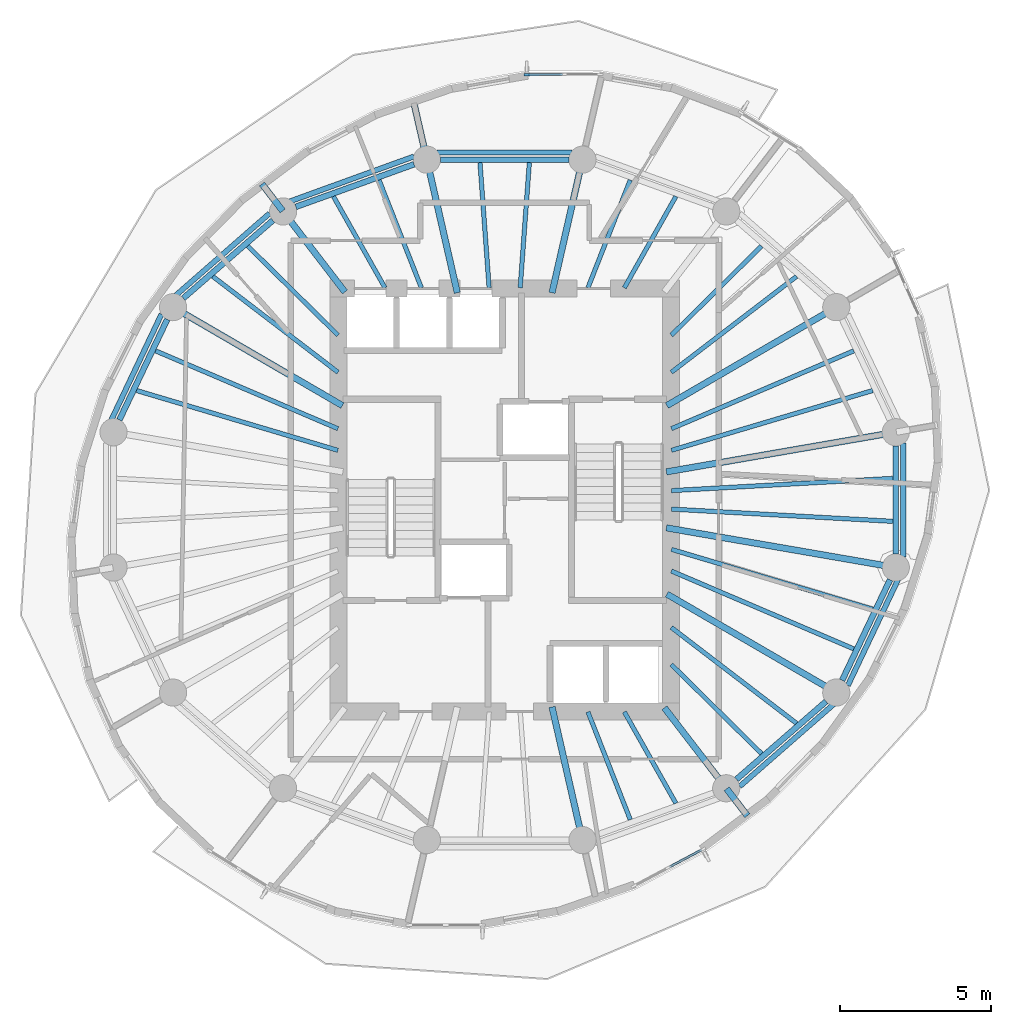
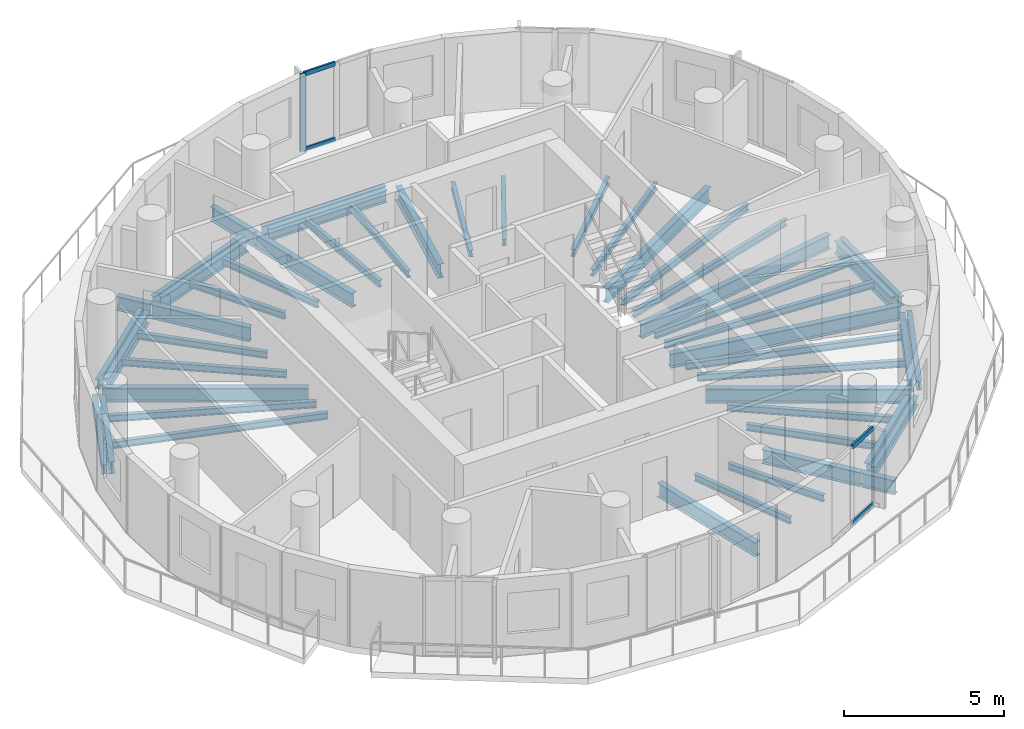
# One storey, part 2 of 10: 49 beams, 5 members, 2 elements without a shape of their own.
"""IFC4 building model written with IfcOpenShell, lengths in metres."""

import ifcopenshell
import ifcopenshell.guid

model = None  # the IFC model being written
_history = None  # IfcOwnerHistory: only IFC2X3 demands one
_inside = {}  # id of a spatial element -> (the spatial element, [elements in it])
_under = {}  # id of a project, library or spatial element -> (it, [spatial elements below it])
_declared = {}  # id of a project -> (the project, [libraries it declares])
_typed = {}  # id of a type object -> (the type object, [elements of that type])
_made_of = {}  # id of a material, layer set ... -> (it, [elements and type objects made of it])


def new_model(schema):
    """Start an empty IFC model of exactly this schema.

    Asked for "IFC4X3", IfcOpenShell would pick the latest addendum, in which some entities
    have other attributes; the version numbers below select the first issue.
    IFC2X3 requires an IfcOwnerHistory on every rooted entity: one is made here for all.
    """
    global model, _history
    if schema == "IFC4X3":
        model = ifcopenshell.file(schema_version=(4, 3, 0, 0))
    else:
        model = ifcopenshell.file(schema=schema)
    _inside.clear()
    _under.clear()
    _declared.clear()
    _typed.clear()
    _made_of.clear()
    _history = None
    if model.schema == "IFC2X3":
        org = make("IfcOrganization", Name="unknown")
        user = make(
            "IfcPersonAndOrganization",
            ThePerson=make("IfcPerson", FamilyName="unknown"),
            TheOrganization=org,
        )
        app = make(
            "IfcApplication",
            ApplicationDeveloper=org,
            Version="unknown",
            ApplicationFullName="unknown",
            ApplicationIdentifier="unknown",
        )
        _history = make(
            "IfcOwnerHistory",
            OwningUser=user,
            OwningApplication=app,
            ChangeAction="ADDED",
            CreationDate=0,
        )
    return model


def make(cls, **values):
    """One entity of the class cls with the attributes given. An attribute that is None is left unset."""
    return model.create_entity(
        cls, **{name: value for name, value in values.items() if value is not None}
    )


def rooted(cls, **values):
    """An entity with a GlobalId (a new one), such as an element, a storey or a relation."""
    return make(cls, GlobalId=ifcopenshell.guid.new(), OwnerHistory=_history, **values)


def si_unit(unit_type, name, prefix=None):
    """IfcSIUnit, for example si_unit("LENGTHUNIT", "METRE", prefix="MILLI")."""
    return make("IfcSIUnit", UnitType=unit_type, Prefix=prefix, Name=name)


def assignment(units):
    """IfcUnitAssignment: the units of a project."""
    return None if units is None else make("IfcUnitAssignment", Units=units)


def point(xyz):
    """IfcCartesianPoint."""
    return None if xyz is None else make("IfcCartesianPoint", Coordinates=xyz)


def direction(xyz):
    """IfcDirection."""
    return None if xyz is None else make("IfcDirection", DirectionRatios=xyz)


def frame(location, z_axis=None, x_axis=None):
    """IfcAxis2Placement3D, a coordinate frame: its origin and axes. An axis left out is left unset."""
    return make(
        "IfcAxis2Placement3D",
        Location=point(location),
        Axis=direction(z_axis),
        RefDirection=direction(x_axis),
    )


def frame_2d(location, x_axis=None):
    """IfcAxis2Placement2D, a coordinate frame in the plane: its origin and x axis."""
    return make(
        "IfcAxis2Placement2D", Location=point(location), RefDirection=direction(x_axis)
    )


def origin():
    """The frame at (0, 0, 0) with its axes left unset."""
    return frame((0.0, 0.0, 0.0))


def origin_2d():
    """The frame at (0, 0) in the plane with its x axis left unset."""
    return frame_2d((0.0, 0.0))


def place(relative_to, where):
    """IfcLocalPlacement: puts the frame where relative to a parent placement (None: the world)."""
    return make(
        "IfcLocalPlacement", PlacementRelTo=relative_to, RelativePlacement=where
    )


def context(
    kind, dimensions, precision=None, world=None, true_north=None, identifier=None
):
    """IfcGeometricRepresentationContext, for example the 3D "Model" context."""
    return make(
        "IfcGeometricRepresentationContext",
        ContextIdentifier=identifier,
        ContextType=kind,
        CoordinateSpaceDimension=dimensions,
        Precision=precision,
        WorldCoordinateSystem=world,
        TrueNorth=true_north,
    )


def subcontext(parent, identifier, kind, view, scale=None):
    """IfcGeometricRepresentationSubContext, for example "Body" below "Model"."""
    return make(
        "IfcGeometricRepresentationSubContext",
        ContextIdentifier=identifier,
        ContextType=kind,
        ParentContext=parent,
        TargetScale=scale,
        TargetView=view,
    )


def project(units=None, contexts=None):
    """IfcProject with its units and contexts."""
    return rooted(
        "IfcProject",
        Name="project",
        RepresentationContexts=contexts,
        UnitsInContext=assignment(units),
    )


def spatial(cls, under=None, at=None, **own):
    """A site, building, storey or space (cls), placed at a placement, below another one or the project."""
    s = rooted(cls, ObjectPlacement=at, **own)
    if under is not None:
        _under.setdefault(under.id(), (under, []))[1].append(s)
    return s


def profile(cls, at=None, kind="AREA", **sizes):
    """A parametric profile (cls). Its sizes go by their IFC names, for example OverallWidth=200.0."""
    return make(cls, ProfileType=kind, Position=at, **sizes)


def rectangle(**sizes):
    """IfcRectangleProfileDef."""
    return profile("IfcRectangleProfileDef", **sizes)


def i_section(**sizes):
    """IfcIShapeProfileDef."""
    return profile("IfcIShapeProfileDef", **sizes)


def extrude(swept, where, along, depth):
    """IfcExtrudedAreaSolid: the profile swept, set in the frame where, extruded along a direction by depth."""
    return make(
        "IfcExtrudedAreaSolid",
        SweptArea=swept,
        Position=where,
        ExtrudedDirection=direction(along),
        Depth=depth,
    )


def shape(context_of_items, identifier, shape_type, items):
    """IfcShapeRepresentation: the items that make up one representation, for example the "Body"."""
    return make(
        "IfcShapeRepresentation",
        ContextOfItems=context_of_items,
        RepresentationIdentifier=identifier,
        RepresentationType=shape_type,
        Items=items,
    )


def material(Name=None, Category=None):
    """IfcMaterial."""
    return make("IfcMaterial", Name=Name, Category=Category)


def material_profile(
    of_material, cross_section, Name=None, Category=None, Priority=None
):
    """IfcMaterialProfile: a cross section and its material."""
    return make(
        "IfcMaterialProfile",
        Name=Name,
        Material=of_material,
        Profile=cross_section,
        Priority=Priority,
        Category=Category,
    )


def profile_set(profiles, Name=None, composite=None):
    """IfcMaterialProfileSet."""
    return make(
        "IfcMaterialProfileSet",
        Name=Name,
        MaterialProfiles=profiles,
        CompositeProfile=composite,
    )


def made_of(thing, what):
    """Note that an element or type object is made of a material, layer set ...; save() writes the relation."""
    if what is not None:
        _made_of.setdefault(what.id(), (what, []))[1].append(thing)
    return thing


def type_object(cls, material=None, **own):
    """A type object (cls), such as IfcWallType, which elements share."""
    return made_of(rooted(cls, **own), material)


def element(
    cls,
    number,
    at=None,
    inside=None,
    cuts=None,
    type_object=None,
    material=None,
    context=None,
    identifier="Body",
    shape_type=None,
    held_by="IfcProductDefinitionShape",
    body=None,
    shapes=None,
    **own,
):
    """One element of the class cls, such as IfcWall. Its Tag is "e" and its number.

    at: its placement. inside: the storey or other place that contains it. cuts: it is an
    opening in that element (IfcRelVoidsElement). A single representation is given by context,
    identifier, shape_type and body (its items); several are given by shapes. held_by: the class
    of the entity that holds the representations. save() writes the other relations.
    """
    e = rooted(cls, Tag="e%d" % number, ObjectPlacement=at, **own)
    if body is not None:
        shapes = [shape(context, identifier, shape_type, body)]
    if shapes is not None:
        e.Representation = make(held_by, Representations=shapes)
    if inside is not None:
        _inside.setdefault(inside.id(), (inside, []))[1].append(e)
    if cuts is not None:
        rooted(
            "IfcRelVoidsElement", RelatingBuildingElement=cuts, RelatedOpeningElement=e
        )
    if type_object is not None:
        _typed.setdefault(type_object.id(), (type_object, []))[1].append(e)
    return made_of(e, material)


def aggregate(whole, parts):
    """IfcRelAggregates: a whole, such as a stair, and the parts it consists of."""
    return rooted("IfcRelAggregates", RelatingObject=whole, RelatedObjects=parts)


def save(model, path):
    """Write the relations noted so far, then the file.

    IfcRelAggregates (storeys below a building ...), IfcRelContainedInSpatialStructure (elements
    in a storey), IfcRelDefinesByType, IfcRelAssociatesMaterial and IfcRelDeclares: one each for
    every whole, place, type object, material and project.
    """
    for whole, parts in _under.values():
        aggregate(whole, parts)
    for where, things in _inside.values():
        rooted(
            "IfcRelContainedInSpatialStructure",
            RelatedElements=things,
            RelatingStructure=where,
        )
    for kind, things in _typed.values():
        rooted("IfcRelDefinesByType", RelatedObjects=things, RelatingType=kind)
    for what, things in _made_of.values():
        rooted("IfcRelAssociatesMaterial", RelatedObjects=things, RelatingMaterial=what)
    for by, libraries in _declared.values():
        rooted("IfcRelDeclares", RelatingContext=by, RelatedDefinitions=libraries)
    model.write(path)


model = new_model("IFC4")

# Units and contexts
model_context = context("Model", 3, precision=1e-05, world=origin(), true_north=direction((0.0, 1.0)))
body_context = subcontext(model_context, "Body", "Model", "MODEL_VIEW")
ifc_project = project(units=[si_unit("LENGTHUNIT", "METRE"), si_unit("AREAUNIT", "SQUARE_METRE"), si_unit("VOLUMEUNIT", "CUBIC_METRE"), si_unit("PLANEANGLEUNIT", "RADIAN"), si_unit("MASSUNIT", "GRAM", prefix="KILO")], contexts=[model_context])

# Site, building, storey
site_placement = place(None, origin())
site = spatial("IfcSite", under=ifc_project, at=site_placement, CompositionType="ELEMENT")
building_placement = place(site_placement, origin())
building = spatial("IfcBuilding", under=site, at=building_placement, Name="Veldorim Arch Residences", CompositionType="ELEMENT")
storey_placement = place(building_placement, frame((0.0, 0.0, 172.639892578125)))
storey = spatial("IfcBuildingStorey", under=building, at=storey_placement, Name="L51", CompositionType="ELEMENT", Elevation=172.639892578125)

# Beams
ifc_material_1 = material(Name="Steel S355", Category="steel")
ifc_material_profile_1 = material_profile(ifc_material_1, i_section(OverallWidth=0.2119140625, OverallDepth=0.54443359375, WebThickness=0.0126953125, FlangeThickness=0.021240234375, at=origin_2d()), Name="UB533x210x122")
ifc_profile_set_1 = profile_set([ifc_material_profile_1], Name="Steel S355")
beam_type_1 = type_object("IfcBeamType", Name="Structural Steel Beam UB533x210x122", PredefinedType="BEAM", material=ifc_profile_set_1)
beam_1_placement = place(storey_placement, frame((37.352294921875, 24.92578125, -0.51220703125), z_axis=(0.985364974081, 0.170457818401, 0.0), x_axis=(-0.170457818401, 0.985364974081, 0.0)))
element("IfcBeam", 1, at=beam_1_placement, inside=storey, type_object=beam_type_1, Name="L51 radial floor girder 01", PredefinedType="BEAM", context=body_context, shape_type="SweptSolid", body=[
    extrude(i_section(OverallWidth=0.2119140625, OverallDepth=0.54443359375, WebThickness=0.0126953125, FlangeThickness=0.021240234375, at=origin_2d()), origin(), (0.0, 0.0, 1.0), 7.68701171875),
])
beam_2_placement = place(storey_placement, frame((37.370361328125, 27.12060546875, -0.51220703125), z_axis=(0.864595736304, 0.502468121142, 0.0), x_axis=(-0.502468121142, 0.864595736304, 0.0)))
element("IfcBeam", 2, at=beam_2_placement, inside=storey, type_object=beam_type_1, Name="L51 radial floor girder 02", PredefinedType="BEAM", context=body_context, shape_type="SweptSolid", body=[
    extrude(i_section(OverallWidth=0.2119140625, OverallDepth=0.54443359375, WebThickness=0.0126953125, FlangeThickness=0.021240234375, at=origin_2d()), origin(), (0.0, 0.0, 1.0), 6.462646484375),
])
for number, where, z_axis, x_axis, name in (
    (3, (33.567626953125, 30.853759765625, -0.51220703125), (0.222952976993, 0.97482920045, 0.0), (-0.97482920045, 0.222952976993, 0.0), "L51 radial floor girder 04"),
    (4, (30.432373046875, 30.853759765625, -0.51220703125), (-0.222952976993, 0.97482920045, 0.0), (-0.97482920045, -0.222952976993, 0.0), "L51 radial floor girder 05"),
):
    element("IfcBeam", number, at=place(storey_placement, frame(where, z_axis=z_axis, x_axis=x_axis)), inside=storey, type_object=beam_type_1, Name=name, PredefinedType="BEAM", context=body_context, shape_type="SweptSolid", body=[
        extrude(i_section(OverallWidth=0.2119140625, OverallDepth=0.54443359375, WebThickness=0.0126953125, FlangeThickness=0.021240234375, at=origin_2d()), origin(), (0.0, 0.0, 1.0), 4.49951171875),
    ])
beam_3_placement = place(storey_placement, frame((29.42041015625, 35.27880859375, -0.51220703125), z_axis=(-0.223002397565, 0.974817896163, 0.0), x_axis=(-0.974817896163, -0.223002397565, 0.0)))
element("IfcBeam", 5, at=beam_3_placement, inside=storey, type_object=beam_type_1, Name="L51 radial edge cantilever girder 05", PredefinedType="BEAM", context=body_context, shape_type="SweptSolid", body=[
    extrude(i_section(OverallWidth=0.2119140625, OverallDepth=0.54443359375, WebThickness=0.0126953125, FlangeThickness=0.021240234375, at=origin_2d()), origin(), (0.0, 0.0, 1.0), 1.978271484375),
])
beam_4_placement = place(storey_placement, frame((26.71337890625, 30.881103515625, -0.51220703125), z_axis=(-0.609258442308, 0.792971721108, 0.0), x_axis=(-0.792971721108, -0.609258442308, 0.0)))
element("IfcBeam", 6, at=beam_4_placement, inside=storey, type_object=beam_type_1, Name="L51 radial floor girder 06", PredefinedType="BEAM", context=body_context, shape_type="SweptSolid", body=[
    extrude(i_section(OverallWidth=0.2119140625, OverallDepth=0.54443359375, WebThickness=0.0126953125, FlangeThickness=0.021240234375, at=origin_2d()), origin(), (0.0, 0.0, 1.0), 3.339599609375),
])
beam_5_placement = place(storey_placement, frame((24.654296875, 33.561279296875, -0.51220703125), z_axis=(-0.609364739023, 0.792890039561, 0.0), x_axis=(-0.792890039561, -0.609364739023, 0.0)))
element("IfcBeam", 7, at=beam_5_placement, inside=storey, type_object=beam_type_1, Name="L51 radial edge cantilever girder 06", PredefinedType="BEAM", context=body_context, shape_type="SweptSolid", body=[
    extrude(i_section(OverallWidth=0.2119140625, OverallDepth=0.54443359375, WebThickness=0.0126953125, FlangeThickness=0.021240234375, at=origin_2d()), origin(), (0.0, 0.0, 1.0), 1.12548828125),
])
beam_6_placement = place(storey_placement, frame((26.629638671875, 27.12060546875, -0.51220703125), z_axis=(-0.864595736304, 0.502468121142, 0.0), x_axis=(-0.502468121142, -0.864595736304, 0.0)))
element("IfcBeam", 8, at=beam_6_placement, inside=storey, type_object=beam_type_1, Name="L51 radial floor girder 07", PredefinedType="BEAM", context=body_context, shape_type="SweptSolid", body=[
    extrude(i_section(OverallWidth=0.2119140625, OverallDepth=0.54443359375, WebThickness=0.0126953125, FlangeThickness=0.021240234375, at=origin_2d()), origin(), (0.0, 0.0, 1.0), 6.462646484375),
])
beam_7_placement = place(storey_placement, frame((33.567626953125, 17.146240234375, -0.51220703125), z_axis=(0.222952976993, -0.97482920045, 0.0), x_axis=(0.97482920045, 0.222952976993, 0.0)))
element("IfcBeam", 9, at=beam_7_placement, inside=storey, type_object=beam_type_1, Name="L51 radial floor girder 13", PredefinedType="BEAM", context=body_context, shape_type="SweptSolid", body=[
    extrude(i_section(OverallWidth=0.2119140625, OverallDepth=0.54443359375, WebThickness=0.0126953125, FlangeThickness=0.021240234375, at=origin_2d()), origin(), (0.0, 0.0, 1.0), 4.49951171875),
])
beam_8_placement = place(storey_placement, frame((37.28662109375, 17.118896484375, -0.51220703125), z_axis=(0.609258442308, -0.792971721108, 0.0), x_axis=(0.792971721108, 0.609258442308, 0.0)))
element("IfcBeam", 10, at=beam_8_placement, inside=storey, type_object=beam_type_1, Name="L51 radial floor girder 14", PredefinedType="BEAM", context=body_context, shape_type="SweptSolid", body=[
    extrude(i_section(OverallWidth=0.2119140625, OverallDepth=0.54443359375, WebThickness=0.0126953125, FlangeThickness=0.021240234375, at=origin_2d()), origin(), (0.0, 0.0, 1.0), 3.339599609375),
])
beam_9_placement = place(storey_placement, frame((39.345703125, 14.438720703125, -0.51220703125), z_axis=(0.609364739023, -0.792890039561, 0.0), x_axis=(0.792890039561, 0.609364739023, 0.0)))
element("IfcBeam", 11, at=beam_9_placement, inside=storey, type_object=beam_type_1, Name="L51 radial edge cantilever girder 14", PredefinedType="BEAM", context=body_context, shape_type="SweptSolid", body=[
    extrude(i_section(OverallWidth=0.2119140625, OverallDepth=0.54443359375, WebThickness=0.0126953125, FlangeThickness=0.021240234375, at=origin_2d()), origin(), (0.0, 0.0, 1.0), 1.12548828125),
])
beam_10_placement = place(storey_placement, frame((37.370361328125, 20.87939453125, -0.51220703125), z_axis=(0.864595736304, -0.502468121142, 0.0), x_axis=(0.502468121142, 0.864595736304, 0.0)))
element("IfcBeam", 12, at=beam_10_placement, inside=storey, type_object=beam_type_1, Name="L51 radial floor girder 15", PredefinedType="BEAM", context=body_context, shape_type="SweptSolid", body=[
    extrude(i_section(OverallWidth=0.2119140625, OverallDepth=0.54443359375, WebThickness=0.0126953125, FlangeThickness=0.021240234375, at=origin_2d()), origin(), (0.0, 0.0, 1.0), 6.462646484375),
])
beam_11_placement = place(storey_placement, frame((37.352294921875, 23.07421875, -0.51220703125), z_axis=(0.985364974081, -0.170457818401, 0.0), x_axis=(0.170457818401, 0.985364974081, 0.0)))
element("IfcBeam", 13, at=beam_11_placement, inside=storey, type_object=beam_type_1, Name="L51 radial floor girder 16", PredefinedType="BEAM", context=body_context, shape_type="SweptSolid", body=[
    extrude(i_section(OverallWidth=0.2119140625, OverallDepth=0.54443359375, WebThickness=0.0126953125, FlangeThickness=0.021240234375, at=origin_2d()), origin(), (0.0, 0.0, 1.0), 7.68701171875),
])
ifc_material_2 = material(Name="Steel S355", Category="steel")
ifc_material_profile_2 = material_profile(ifc_material_2, i_section(OverallWidth=0.146484375, OverallDepth=0.256103515625, WebThickness=0.00634765625, FlangeThickness=0.010986328125, at=origin_2d()), Name="UB254x146x37")
ifc_profile_set_2 = profile_set([ifc_material_profile_2], Name="Steel S355")
beam_type_2 = type_object("IfcBeamType", Name="Structural Steel Joist UB254x146x37", PredefinedType="JOIST", material=ifc_profile_set_2)
beam_12_placement = place(storey_placement, frame((37.519287109375, 25.639404296875, -0.367919921875), z_axis=(0.958594432792, 0.284774846889, 0.0), x_axis=(-0.284774846889, 0.958594432792, 0.0)))
element("IfcBeam", 14, at=beam_12_placement, inside=storey, type_object=beam_type_2, Name="L51 secondary radial floor joist 01-1", PredefinedType="JOIST", context=body_context, shape_type="SweptSolid", body=[
    extrude(i_section(OverallWidth=0.146484375, OverallDepth=0.256103515625, WebThickness=0.00634765625, FlangeThickness=0.010986328125, at=origin_2d()), origin(), (0.0, 0.0, 1.0), 6.949462890625),
])
beam_13_placement = place(storey_placement, frame((37.518310546875, 26.355712890625, -0.367919921875), z_axis=(0.919725161652, 0.392562895629, 0.0), x_axis=(-0.392562895629, 0.919725161652, 0.0)))
element("IfcBeam", 15, at=beam_13_placement, inside=storey, type_object=beam_type_2, Name="L51 secondary radial floor joist 01-2", PredefinedType="JOIST", context=body_context, shape_type="SweptSolid", body=[
    extrude(i_section(OverallWidth=0.146484375, OverallDepth=0.256103515625, WebThickness=0.00634765625, FlangeThickness=0.010986328125, at=origin_2d()), origin(), (0.0, 0.0, 1.0), 6.5625),
])
beam_14_placement = place(storey_placement, frame((37.515869140625, 28.222900390625, -0.367919921875), z_axis=(0.794013672216, 0.607899899929, 0.0), x_axis=(-0.607899899929, 0.794013672216, 0.0)))
element("IfcBeam", 16, at=beam_14_placement, inside=storey, type_object=beam_type_2, Name="L51 secondary radial floor joist 02-1", PredefinedType="JOIST", context=body_context, shape_type="SweptSolid", body=[
    extrude(i_section(OverallWidth=0.146484375, OverallDepth=0.256103515625, WebThickness=0.00634765625, FlangeThickness=0.010986328125, at=origin_2d()), origin(), (0.0, 0.0, 1.0), 5.217041015625),
])
beam_15_placement = place(storey_placement, frame((37.51416015625, 29.44775390625, -0.367919921875), z_axis=(0.711396725432, 0.702790650937, 0.0), x_axis=(-0.702790650937, 0.711396725432, 0.0)))
element("IfcBeam", 17, at=beam_15_placement, inside=storey, type_object=beam_type_2, Name="L51 secondary radial floor joist 02-2", PredefinedType="JOIST", context=body_context, shape_type="SweptSolid", body=[
    extrude(i_section(OverallWidth=0.146484375, OverallDepth=0.256103515625, WebThickness=0.00634765625, FlangeThickness=0.010986328125, at=origin_2d()), origin(), (0.0, 0.0, 1.0), 4.198486328125),
])
beam_16_placement = place(storey_placement, frame((35.960205078125, 31.017333984375, -0.367919921875), z_axis=(0.491452469585, 0.870904397818, 0.0), x_axis=(-0.870904397818, 0.491452469585, 0.0)))
element("IfcBeam", 18, at=beam_16_placement, inside=storey, type_object=beam_type_2, Name="L51 secondary radial floor joist 03-1", PredefinedType="JOIST", context=body_context, shape_type="SweptSolid", body=[
    extrude(i_section(OverallWidth=0.146484375, OverallDepth=0.256103515625, WebThickness=0.00634765625, FlangeThickness=0.010986328125, at=origin_2d()), origin(), (0.0, 0.0, 1.0), 3.472412109375),
])
beam_17_placement = place(storey_placement, frame((34.75634765625, 31.0185546875, -0.367919921875), z_axis=(0.365581383042, 0.930779379001, 0.0), x_axis=(-0.930779379001, 0.365581383042, 0.0)))
element("IfcBeam", 19, at=beam_17_placement, inside=storey, type_object=beam_type_2, Name="L51 secondary radial floor joist 03-2", PredefinedType="JOIST", context=body_context, shape_type="SweptSolid", body=[
    extrude(i_section(OverallWidth=0.146484375, OverallDepth=0.256103515625, WebThickness=0.00634765625, FlangeThickness=0.010986328125, at=origin_2d()), origin(), (0.0, 0.0, 1.0), 3.83056640625),
])
for number, where, z_axis, x_axis, name in (
    (20, (32.513916015625, 31.02001953125, -0.367919921875), (0.072985625899, 0.997332992742, 0.0), (-0.997332992742, 0.072985625899, 0.0), "L51 secondary radial floor joist 04-1"),
    (21, (31.486083984375, 31.02001953125, -0.367919921875), (-0.072985625899, 0.997332992742, 0.0), (-0.997332992742, -0.072985625899, 0.0), "L51 secondary radial floor joist 04-2"),
):
    element("IfcBeam", number, at=place(storey_placement, frame(where, z_axis=z_axis, x_axis=x_axis)), inside=storey, type_object=beam_type_2, Name=name, PredefinedType="JOIST", context=body_context, shape_type="SweptSolid", body=[
        extrude(i_section(OverallWidth=0.146484375, OverallDepth=0.256103515625, WebThickness=0.00634765625, FlangeThickness=0.010986328125, at=origin_2d()), origin(), (0.0, 0.0, 1.0), 4.151123046875),
    ])
beam_18_placement = place(storey_placement, frame((29.24365234375, 31.0185546875, -0.367919921875), z_axis=(-0.365581383042, 0.930779379001, 0.0), x_axis=(-0.930779379001, -0.365581383042, 0.0)))
element("IfcBeam", 22, at=beam_18_placement, inside=storey, type_object=beam_type_2, Name="L51 secondary radial floor joist 05-1", PredefinedType="JOIST", context=body_context, shape_type="SweptSolid", body=[
    extrude(i_section(OverallWidth=0.146484375, OverallDepth=0.256103515625, WebThickness=0.00634765625, FlangeThickness=0.010986328125, at=origin_2d()), origin(), (0.0, 0.0, 1.0), 3.83056640625),
])
beam_19_placement = place(storey_placement, frame((28.039794921875, 31.017333984375, -0.367919921875), z_axis=(-0.491452469585, 0.870904397818, 0.0), x_axis=(-0.870904397818, -0.491452469585, 0.0)))
element("IfcBeam", 23, at=beam_19_placement, inside=storey, type_object=beam_type_2, Name="L51 secondary radial floor joist 05-2", PredefinedType="JOIST", context=body_context, shape_type="SweptSolid", body=[
    extrude(i_section(OverallWidth=0.146484375, OverallDepth=0.256103515625, WebThickness=0.00634765625, FlangeThickness=0.010986328125, at=origin_2d()), origin(), (0.0, 0.0, 1.0), 3.472412109375),
])
beam_20_placement = place(storey_placement, frame((26.48583984375, 29.44775390625, -0.367919921875), z_axis=(-0.711396725432, 0.702790650937, 0.0), x_axis=(-0.702790650937, -0.711396725432, 0.0)))
element("IfcBeam", 24, at=beam_20_placement, inside=storey, type_object=beam_type_2, Name="L51 secondary radial floor joist 06-1", PredefinedType="JOIST", context=body_context, shape_type="SweptSolid", body=[
    extrude(i_section(OverallWidth=0.146484375, OverallDepth=0.256103515625, WebThickness=0.00634765625, FlangeThickness=0.010986328125, at=origin_2d()), origin(), (0.0, 0.0, 1.0), 4.198486328125),
])
beam_21_placement = place(storey_placement, frame((26.484130859375, 28.222900390625, -0.367919921875), z_axis=(-0.794013672216, 0.607899899929, 0.0), x_axis=(-0.607899899929, -0.794013672216, 0.0)))
element("IfcBeam", 25, at=beam_21_placement, inside=storey, type_object=beam_type_2, Name="L51 secondary radial floor joist 06-2", PredefinedType="JOIST", context=body_context, shape_type="SweptSolid", body=[
    extrude(i_section(OverallWidth=0.146484375, OverallDepth=0.256103515625, WebThickness=0.00634765625, FlangeThickness=0.010986328125, at=origin_2d()), origin(), (0.0, 0.0, 1.0), 5.217041015625),
])
beam_22_placement = place(storey_placement, frame((26.481689453125, 26.355712890625, -0.367919921875), z_axis=(-0.919725161652, 0.392562895629, 0.0), x_axis=(-0.392562895629, -0.919725161652, 0.0)))
element("IfcBeam", 26, at=beam_22_placement, inside=storey, type_object=beam_type_2, Name="L51 secondary radial floor joist 07-1", PredefinedType="JOIST", context=body_context, shape_type="SweptSolid", body=[
    extrude(i_section(OverallWidth=0.146484375, OverallDepth=0.256103515625, WebThickness=0.00634765625, FlangeThickness=0.010986328125, at=origin_2d()), origin(), (0.0, 0.0, 1.0), 6.5625),
])
beam_23_placement = place(storey_placement, frame((26.480712890625, 25.639404296875, -0.367919921875), z_axis=(-0.958594432792, 0.284774846889, 0.0), x_axis=(-0.284774846889, -0.958594432792, 0.0)))
element("IfcBeam", 27, at=beam_23_placement, inside=storey, type_object=beam_type_2, Name="L51 secondary radial floor joist 07-2", PredefinedType="JOIST", context=body_context, shape_type="SweptSolid", body=[
    extrude(i_section(OverallWidth=0.146484375, OverallDepth=0.256103515625, WebThickness=0.00634765625, FlangeThickness=0.010986328125, at=origin_2d()), origin(), (0.0, 0.0, 1.0), 6.949462890625),
])
beam_24_placement = place(storey_placement, frame((34.75634765625, 16.9814453125, -0.367919921875), z_axis=(0.365581383042, -0.930779379001, 0.0), x_axis=(0.930779379001, 0.365581383042, 0.0)))
element("IfcBeam", 28, at=beam_24_placement, inside=storey, type_object=beam_type_2, Name="L51 secondary radial floor joist 13-1", PredefinedType="JOIST", context=body_context, shape_type="SweptSolid", body=[
    extrude(i_section(OverallWidth=0.146484375, OverallDepth=0.256103515625, WebThickness=0.00634765625, FlangeThickness=0.010986328125, at=origin_2d()), origin(), (0.0, 0.0, 1.0), 3.83056640625),
])
beam_25_placement = place(storey_placement, frame((35.960205078125, 16.982666015625, -0.367919921875), z_axis=(0.491452469585, -0.870904397818, 0.0), x_axis=(0.870904397818, 0.491452469585, 0.0)))
element("IfcBeam", 29, at=beam_25_placement, inside=storey, type_object=beam_type_2, Name="L51 secondary radial floor joist 13-2", PredefinedType="JOIST", context=body_context, shape_type="SweptSolid", body=[
    extrude(i_section(OverallWidth=0.146484375, OverallDepth=0.256103515625, WebThickness=0.00634765625, FlangeThickness=0.010986328125, at=origin_2d()), origin(), (0.0, 0.0, 1.0), 3.472412109375),
])
beam_26_placement = place(storey_placement, frame((37.51416015625, 18.55224609375, -0.367919921875), z_axis=(0.711396725432, -0.702790650937, 0.0), x_axis=(0.702790650937, 0.711396725432, 0.0)))
element("IfcBeam", 30, at=beam_26_placement, inside=storey, type_object=beam_type_2, Name="L51 secondary radial floor joist 14-1", PredefinedType="JOIST", context=body_context, shape_type="SweptSolid", body=[
    extrude(i_section(OverallWidth=0.146484375, OverallDepth=0.256103515625, WebThickness=0.00634765625, FlangeThickness=0.010986328125, at=origin_2d()), origin(), (0.0, 0.0, 1.0), 4.198486328125),
])
beam_27_placement = place(storey_placement, frame((37.515869140625, 19.777099609375, -0.367919921875), z_axis=(0.794013672216, -0.607899899929, 0.0), x_axis=(0.607899899929, 0.794013672216, 0.0)))
element("IfcBeam", 31, at=beam_27_placement, inside=storey, type_object=beam_type_2, Name="L51 secondary radial floor joist 14-2", PredefinedType="JOIST", context=body_context, shape_type="SweptSolid", body=[
    extrude(i_section(OverallWidth=0.146484375, OverallDepth=0.256103515625, WebThickness=0.00634765625, FlangeThickness=0.010986328125, at=origin_2d()), origin(), (0.0, 0.0, 1.0), 5.217041015625),
])
beam_28_placement = place(storey_placement, frame((37.518310546875, 21.644287109375, -0.367919921875), z_axis=(0.919725161652, -0.392562895629, 0.0), x_axis=(0.392562895629, 0.919725161652, 0.0)))
element("IfcBeam", 32, at=beam_28_placement, inside=storey, type_object=beam_type_2, Name="L51 secondary radial floor joist 15-1", PredefinedType="JOIST", context=body_context, shape_type="SweptSolid", body=[
    extrude(i_section(OverallWidth=0.146484375, OverallDepth=0.256103515625, WebThickness=0.00634765625, FlangeThickness=0.010986328125, at=origin_2d()), origin(), (0.0, 0.0, 1.0), 6.5625),
])
beam_29_placement = place(storey_placement, frame((37.519287109375, 22.360595703125, -0.367919921875), z_axis=(0.958594432792, -0.284774846889, 0.0), x_axis=(0.284774846889, 0.958594432792, 0.0)))
element("IfcBeam", 33, at=beam_29_placement, inside=storey, type_object=beam_type_2, Name="L51 secondary radial floor joist 15-2", PredefinedType="JOIST", context=body_context, shape_type="SweptSolid", body=[
    extrude(i_section(OverallWidth=0.146484375, OverallDepth=0.256103515625, WebThickness=0.00634765625, FlangeThickness=0.010986328125, at=origin_2d()), origin(), (0.0, 0.0, 1.0), 6.949462890625),
])
for number, where, z_axis, x_axis, name in (
    (34, (37.52001953125, 23.6943359375, -0.367919921875), (0.998472000884, -0.055259962464, 0.0), (0.055259962464, 0.998472000884, 0.0), "L51 secondary radial floor joist 16-1"),
    (35, (37.52001953125, 24.3056640625, -0.367919921875), (0.998472000884, 0.055259962464, 0.0), (-0.055259962464, 0.998472000884, 0.0), "L51 secondary radial floor joist 16-2"),
):
    element("IfcBeam", number, at=place(storey_placement, frame(where, z_axis=z_axis, x_axis=x_axis)), inside=storey, type_object=beam_type_2, Name=name, PredefinedType="JOIST", context=body_context, shape_type="SweptSolid", body=[
        extrude(i_section(OverallWidth=0.146484375, OverallDepth=0.256103515625, WebThickness=0.00634765625, FlangeThickness=0.010986328125, at=origin_2d()), origin(), (0.0, 0.0, 1.0), 7.33837890625),
    ])
ifc_material_3 = material(Name="Steel S355", Category="steel")
ifc_material_profile_3 = material_profile(ifc_material_3, i_section(OverallWidth=0.172119140625, OverallDepth=0.35791015625, WebThickness=0.008056640625, FlangeThickness=0.012939453125, at=origin_2d()), Name="UB356x171x57")
ifc_profile_set_3 = profile_set([ifc_material_profile_3], Name="Steel S355")
beam_type_3 = type_object("IfcBeamType", Name="Structural Steel Spandrel UB356x171x57", PredefinedType="SPANDREL", material=ifc_profile_set_3)
beam_30_placement = place(storey_placement, frame((34.234375, 35.500732421875, -0.43896484375), z_axis=(-1.0, 0.0, 0.0), x_axis=(0.0, -1.0, 0.0)))
element("IfcBeam", 36, at=beam_30_placement, inside=storey, type_object=beam_type_3, Name="L51 perimeter chord spandrel beam 04", PredefinedType="SPANDREL", context=body_context, shape_type="SweptSolid", body=[
    extrude(i_section(OverallWidth=0.172119140625, OverallDepth=0.35791015625, WebThickness=0.008056640625, FlangeThickness=0.012939453125, at=origin_2d()), origin(), (0.0, 0.0, 1.0), 4.46875),
])
beam_31_placement = place(storey_placement, frame((28.997314453125, 35.36572265625, -0.43896484375), z_axis=(-0.940164695555, -0.340720332871, 0.0), x_axis=(0.340720332871, -0.940164695555, 0.0)))
element("IfcBeam", 37, at=beam_31_placement, inside=storey, type_object=beam_type_3, Name="L51 perimeter chord spandrel beam 05", PredefinedType="SPANDREL", context=body_context, shape_type="SweptSolid", body=[
    extrude(i_section(OverallWidth=0.172119140625, OverallDepth=0.35791015625, WebThickness=0.008056640625, FlangeThickness=0.012939453125, at=origin_2d()), origin(), (0.0, 0.0, 1.0), 4.370849609375),
])
beam_32_placement = place(storey_placement, frame((24.217529296875, 33.48095703125, -0.43896484375), z_axis=(-0.752847646119, -0.6581948205, 0.0), x_axis=(0.6581948205, -0.752847646119, 0.0)))
element("IfcBeam", 38, at=beam_32_placement, inside=storey, type_object=beam_type_3, Name="L51 perimeter chord spandrel beam 06", PredefinedType="SPANDREL", context=body_context, shape_type="SweptSolid", body=[
    extrude(i_section(OverallWidth=0.172119140625, OverallDepth=0.35791015625, WebThickness=0.008056640625, FlangeThickness=0.012939453125, at=origin_2d()), origin(), (0.0, 0.0, 1.0), 4.12939453125),
])
beam_33_placement = place(storey_placement, frame((20.64111328125, 30.144287109375, -0.43896484375), z_axis=(-0.428408308939, -0.903585259304, 0.0), x_axis=(0.903585259304, -0.428408308939, 0.0)))
element("IfcBeam", 39, at=beam_33_placement, inside=storey, type_object=beam_type_3, Name="L51 perimeter chord spandrel beam 07", PredefinedType="SPANDREL", context=body_context, shape_type="SweptSolid", body=[
    extrude(i_section(OverallWidth=0.172119140625, OverallDepth=0.35791015625, WebThickness=0.008056640625, FlangeThickness=0.012939453125, at=origin_2d()), origin(), (0.0, 0.0, 1.0), 3.878662109375),
])
beam_34_placement = place(storey_placement, frame((39.782470703125, 14.51904296875, -0.43896484375), z_axis=(0.752847646119, 0.6581948205, 0.0), x_axis=(-0.6581948205, 0.752847646119, 0.0)))
element("IfcBeam", 40, at=beam_34_placement, inside=storey, type_object=beam_type_3, Name="L51 perimeter chord spandrel beam 14", PredefinedType="SPANDREL", context=body_context, shape_type="SweptSolid", body=[
    extrude(i_section(OverallWidth=0.172119140625, OverallDepth=0.35791015625, WebThickness=0.008056640625, FlangeThickness=0.012939453125, at=origin_2d()), origin(), (0.0, 0.0, 1.0), 4.12939453125),
])
beam_35_placement = place(storey_placement, frame((43.35888671875, 17.855712890625, -0.43896484375), z_axis=(0.428408308939, 0.903585259304, 0.0), x_axis=(-0.903585259304, 0.428408308939, 0.0)))
element("IfcBeam", 41, at=beam_35_placement, inside=storey, type_object=beam_type_3, Name="L51 perimeter chord spandrel beam 15", PredefinedType="SPANDREL", context=body_context, shape_type="SweptSolid", body=[
    extrude(i_section(OverallWidth=0.172119140625, OverallDepth=0.35791015625, WebThickness=0.008056640625, FlangeThickness=0.012939453125, at=origin_2d()), origin(), (0.0, 0.0, 1.0), 3.878662109375),
])
beam_36_placement = place(storey_placement, frame((45.190185546875, 22.1142578125, -0.43896484375), z_axis=(0.0, 1.0, 0.0), x_axis=(-1.0, 0.0, 0.0)))
element("IfcBeam", 42, at=beam_36_placement, inside=storey, type_object=beam_type_3, Name="L51 perimeter chord spandrel beam 16", PredefinedType="SPANDREL", context=body_context, shape_type="SweptSolid", body=[
    extrude(i_section(OverallWidth=0.172119140625, OverallDepth=0.35791015625, WebThickness=0.008056640625, FlangeThickness=0.012939453125, at=origin_2d()), origin(), (0.0, 0.0, 1.0), 3.771484375),
])
ifc_material_4 = material(Name="Steel S355", Category="steel")
ifc_material_profile_4 = material_profile(ifc_material_4, i_section(OverallWidth=0.19140625, OverallDepth=0.4599609375, WebThickness=0.010009765625, FlangeThickness=0.01611328125, at=origin_2d()), Name="UB457x191x82")
ifc_profile_set_4 = profile_set([ifc_material_profile_4], Name="Steel S355")
beam_type_4 = type_object("IfcBeamType", Name="Structural Steel Spandrel UB457x191x82", PredefinedType="SPANDREL", material=ifc_profile_set_4)
beam_37_placement = place(storey_placement, frame((34.125244140625, 35.259521484375, -0.469970703125), z_axis=(-1.0, 0.0, 0.0), x_axis=(0.0, -1.0, 0.0)))
element("IfcBeam", 43, at=beam_37_placement, inside=storey, type_object=beam_type_4, Name="L51 perimeter ring tie beam 04", PredefinedType="SPANDREL", context=body_context, shape_type="SweptSolid", body=[
    extrude(i_section(OverallWidth=0.19140625, OverallDepth=0.4599609375, WebThickness=0.010009765625, FlangeThickness=0.01611328125, at=origin_2d()), origin(), (0.0, 0.0, 1.0), 4.25048828125),
])
beam_38_placement = place(storey_placement, frame((29.00146484375, 35.10693359375, -0.469970703125), z_axis=(-0.940811035395, -0.338931550137, 0.0), x_axis=(0.338931550137, -0.940811035395, 0.0)))
element("IfcBeam", 44, at=beam_38_placement, inside=storey, type_object=beam_type_4, Name="L51 perimeter ring tie beam 05", PredefinedType="SPANDREL", context=body_context, shape_type="SweptSolid", body=[
    extrude(i_section(OverallWidth=0.19140625, OverallDepth=0.4599609375, WebThickness=0.010009765625, FlangeThickness=0.01611328125, at=origin_2d()), origin(), (0.0, 0.0, 1.0), 4.15771484375),
])
beam_39_placement = place(storey_placement, frame((24.326904296875, 33.25, -0.469970703125), z_axis=(-0.754545285701, -0.656247980436, 0.0), x_axis=(0.656247980436, -0.754545285701, 0.0)))
element("IfcBeam", 45, at=beam_39_placement, inside=storey, type_object=beam_type_4, Name="L51 perimeter ring tie beam 06", PredefinedType="SPANDREL", context=body_context, shape_type="SweptSolid", body=[
    extrude(i_section(OverallWidth=0.19140625, OverallDepth=0.4599609375, WebThickness=0.010009765625, FlangeThickness=0.01611328125, at=origin_2d()), origin(), (0.0, 0.0, 1.0), 3.9267578125),
])
beam_40_placement = place(storey_placement, frame((20.8310546875, 29.9716796875, -0.469970703125), z_axis=(-0.430005613988, -0.902826213586, 0.0), x_axis=(0.902826213586, -0.430005613988, 0.0)))
element("IfcBeam", 46, at=beam_40_placement, inside=storey, type_object=beam_type_4, Name="L51 perimeter ring tie beam 07", PredefinedType="SPANDREL", context=body_context, shape_type="SweptSolid", body=[
    extrude(i_section(OverallWidth=0.19140625, OverallDepth=0.4599609375, WebThickness=0.010009765625, FlangeThickness=0.01611328125, at=origin_2d()), origin(), (0.0, 0.0, 1.0), 3.68359375),
])
beam_41_placement = place(storey_placement, frame((39.673095703125, 14.75, -0.469970703125), z_axis=(0.754545285701, 0.656247980436, 0.0), x_axis=(-0.656247980436, 0.754545285701, 0.0)))
element("IfcBeam", 47, at=beam_41_placement, inside=storey, type_object=beam_type_4, Name="L51 perimeter ring tie beam 14", PredefinedType="SPANDREL", context=body_context, shape_type="SweptSolid", body=[
    extrude(i_section(OverallWidth=0.19140625, OverallDepth=0.4599609375, WebThickness=0.010009765625, FlangeThickness=0.01611328125, at=origin_2d()), origin(), (0.0, 0.0, 1.0), 3.9267578125),
])
beam_42_placement = place(storey_placement, frame((43.1689453125, 18.0283203125, -0.469970703125), z_axis=(0.430005613988, 0.902826213586, 0.0), x_axis=(-0.902826213586, 0.430005613988, 0.0)))
element("IfcBeam", 48, at=beam_42_placement, inside=storey, type_object=beam_type_4, Name="L51 perimeter ring tie beam 15", PredefinedType="SPANDREL", context=body_context, shape_type="SweptSolid", body=[
    extrude(i_section(OverallWidth=0.19140625, OverallDepth=0.4599609375, WebThickness=0.010009765625, FlangeThickness=0.01611328125, at=origin_2d()), origin(), (0.0, 0.0, 1.0), 3.68359375),
])
beam_43_placement = place(storey_placement, frame((44.9462890625, 22.21044921875, -0.469970703125), z_axis=(0.0, 1.0, 0.0), x_axis=(-1.0, 0.0, 0.0)))
element("IfcBeam", 49, at=beam_43_placement, inside=storey, type_object=beam_type_4, Name="L51 perimeter ring tie beam 16", PredefinedType="SPANDREL", context=body_context, shape_type="SweptSolid", body=[
    extrude(i_section(OverallWidth=0.19140625, OverallDepth=0.4599609375, WebThickness=0.010009765625, FlangeThickness=0.01611328125, at=origin_2d()), origin(), (0.0, 0.0, 1.0), 3.5791015625),
])

# Curtain wall, members
ifc_material_5 = material(Name="Aluminium", Category="aluminium")
curtain_wall_type = type_object("IfcCurtainWallType", Name="Zone 4 High-Altitude Unitised Curtain Wall", PredefinedType="NOTDEFINED", material=ifc_material_5)
curtain_wall_1_placement = place(storey_placement, origin())
curtain_wall_1 = element("IfcCurtainWall", 50, at=curtain_wall_1_placement, inside=storey, type_object=curtain_wall_type, Name="L51 unitised curtain wall bay 05", PredefinedType="NOTDEFINED")
ifc_material_6 = material(Name="Aluminium", Category="aluminium")
ifc_material_profile_5 = material_profile(ifc_material_6, rectangle(XDim=0.074951171875, YDim=0.195068359375, at=origin_2d()), Name="ALU_MUL_75x195")
ifc_profile_set_5 = profile_set([ifc_material_profile_5], Name="Aluminium")
member_type_1 = type_object("IfcMemberType", Name="Zone 4 High-Altitude Unitised Curtain Wall Mullion 75x195", PredefinedType="MULLION", material=ifc_profile_set_5)
member_1_placement = place(storey_placement, frame((32.73583984375, 38.073486328125, 0.0), z_axis=(0.0, 0.0, 1.0), x_axis=(-0.002677634077, 0.999996415131, 0.0)))
member_1 = element("IfcMember", 51, at=member_1_placement, type_object=member_type_1, Name="CW-Z4 mullion 1", PredefinedType="MULLION", context=body_context, shape_type="SweptSolid", body=[
    extrude(rectangle(XDim=0.074951171875, YDim=0.195068359375, at=origin_2d()), origin(), (0.0, 0.0, 1.0), 2.960205078125),
])
ifc_material_7 = material(Name="Aluminium", Category="aluminium")
ifc_material_profile_6 = material_profile(ifc_material_7, rectangle(XDim=0.074951171875, YDim=0.1650390625, at=origin_2d()), Name="ALU_TRN_75x165")
ifc_profile_set_6 = profile_set([ifc_material_profile_6], Name="Aluminium")
member_type_2 = type_object("IfcMemberType", Name="Zone 4 High-Altitude Unitised Curtain Wall Transom 75x165", PredefinedType="USERDEFINED", material=ifc_profile_set_6)
member_2_placement = place(storey_placement, frame((32.7734375, 38.073486328125, 0.03759765625), z_axis=(0.999996115482, 0.002787296205, 0.0), x_axis=(-0.002787296205, 0.999996115482, 0.0)))
member_2 = element("IfcMember", 52, at=member_2_placement, type_object=member_type_2, Name="CW-Z4 transom 1.1", ObjectType="TRANSOM", PredefinedType="USERDEFINED", context=body_context, shape_type="SweptSolid", body=[
    extrude(rectangle(XDim=0.074951171875, YDim=0.1650390625, at=origin_2d()), origin(), (0.0, 0.0, 1.0), 1.138671875),
])
member_3_placement = place(storey_placement, frame((32.7734375, 38.073486328125, 2.922607421875), z_axis=(0.999996115482, 0.002787296205, 0.0), x_axis=(-0.002787296205, 0.999996115482, 0.0)))
member_3 = element("IfcMember", 53, at=member_3_placement, type_object=member_type_2, Name="CW-Z4 transom 1.2", ObjectType="TRANSOM", PredefinedType="USERDEFINED", context=body_context, shape_type="SweptSolid", body=[
    extrude(rectangle(XDim=0.074951171875, YDim=0.1650390625, at=origin_2d()), origin(), (0.0, 0.0, 1.0), 1.138671875),
])
aggregate(curtain_wall_1, [member_1, member_2, member_3])

curtain_wall_2_placement = place(storey_placement, origin())
curtain_wall_2 = element("IfcCurtainWall", 54, at=curtain_wall_2_placement, inside=storey, type_object=curtain_wall_type, Name="L51 unitised curtain wall bay 26", PredefinedType="NOTDEFINED")
member_4_placement = place(storey_placement, frame((38.522216796875, 12.417236328125, 0.03759765625), z_axis=(-0.882648352175, -0.47003392048, 0.0), x_axis=(0.47003392048, -0.882648352175, 0.0)))
member_4 = element("IfcMember", 55, at=member_4_placement, type_object=member_type_2, Name="CW-Z4 transom 1.1", ObjectType="TRANSOM", PredefinedType="USERDEFINED", context=body_context, shape_type="SweptSolid", body=[
    extrude(rectangle(XDim=0.074951171875, YDim=0.1650390625, at=origin_2d()), origin(), (0.0, 0.0, 1.0), 1.211669921875),
])
member_5_placement = place(storey_placement, frame((38.522216796875, 12.417236328125, 2.922607421875), z_axis=(-0.882648352175, -0.47003392048, 0.0), x_axis=(0.47003392048, -0.882648352175, 0.0)))
member_5 = element("IfcMember", 56, at=member_5_placement, type_object=member_type_2, Name="CW-Z4 transom 1.2", ObjectType="TRANSOM", PredefinedType="USERDEFINED", context=body_context, shape_type="SweptSolid", body=[
    extrude(rectangle(XDim=0.074951171875, YDim=0.1650390625, at=origin_2d()), origin(), (0.0, 0.0, 1.0), 1.211669921875),
])
aggregate(curtain_wall_2, [member_4, member_5])

save(model, "model.ifc")
